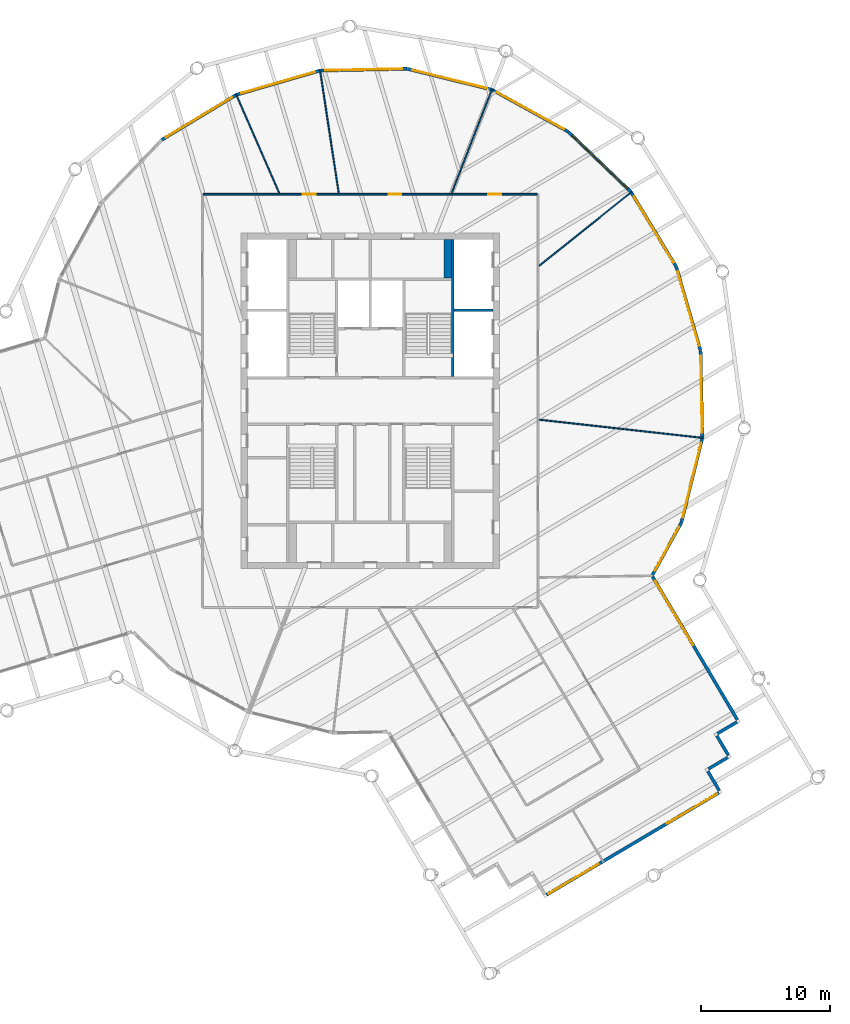
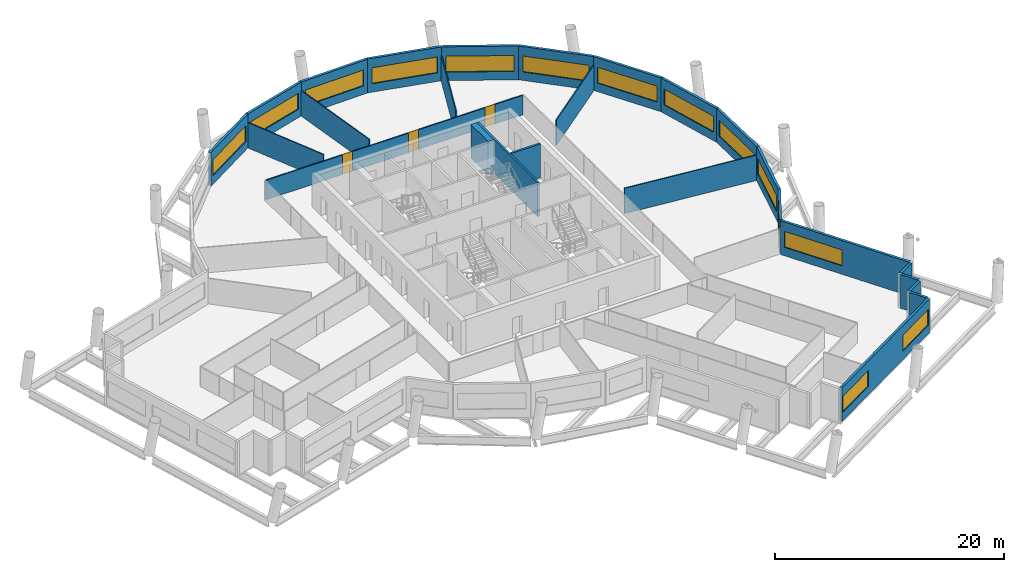
# One storey, part 6 of 11: 26 walls, 14 windows, 3 doors, 17 openings.
"""IFC4 building model written with IfcOpenShell, lengths in metres."""

from ifc_helpers import new_model, si_unit, direction, frame, frame_2d, origin, place, context, subcontext, project, spatial, rectangle, extrude, material, layer, layer_set, type_object, element, fill, save


model = new_model("IFC4")

# Units and contexts
model_context = context("Model", 3, precision=1e-05, world=origin(), true_north=direction((0.0, 1.0)))
body_context = subcontext(model_context, "Body", "Model", "MODEL_VIEW")
ifc_project = project(units=[si_unit("LENGTHUNIT", "METRE"), si_unit("AREAUNIT", "SQUARE_METRE"), si_unit("VOLUMEUNIT", "CUBIC_METRE"), si_unit("PLANEANGLEUNIT", "RADIAN"), si_unit("MASSUNIT", "GRAM", prefix="KILO")], contexts=[model_context])

# Site, building, storey
site_placement = place(None, origin())
site = spatial("IfcSite", under=ifc_project, at=site_placement, CompositionType="ELEMENT")
building_placement = place(site_placement, origin())
building = spatial("IfcBuilding", under=site, at=building_placement, Name="Tarsis Ring Headquarters", CompositionType="ELEMENT")
storey_placement = place(building_placement, frame((0.0, 0.0, 350.89990234375)))
storey = spatial("IfcBuildingStorey", under=building, at=storey_placement, Name="L83", CompositionType="ELEMENT", Elevation=350.89990234375)

# Walls
ifc_material_1 = material(Name="Gypsum board on steel studs", Category="steel")
ifc_layer_1 = layer(ifc_material_1, 0.10009765625)
ifc_layer_set_1 = layer_set([ifc_layer_1], Name="FL partition 100 unrated")
wall_type_1 = type_object("IfcWallType", Name="FL partition 100 unrated", PredefinedType="PARTITIONING", material=ifc_layer_set_1)
wall_1_placement = place(storey_placement, frame((13.069580078125, -1.456787109375, 0.0), z_axis=(0.0, 0.0, 1.0), x_axis=(0.993844586724, -0.110783290433, 0.0)))
element("IfcWall", 1, at=wall_1_placement, inside=storey, type_object=wall_type_1, Name="Partition PW3", PredefinedType="PARTITIONING", context=body_context, shape_type="SweptSolid", body=[
    extrude(rectangle(XDim=12.79736328125, YDim=0.10009765625, at=frame_2d((6.398681640625, 0.0))), origin(), (0.0, 0.0, 1.0), 2.7001953125),
])
wall_2_placement = place(storey_placement, frame((-3.89794921875, 25.6533203125, 0.0), z_axis=(0.0, 0.0, 1.0), x_axis=(0.150223141748, -0.988652116613, 0.0)))
element("IfcWall", 2, at=wall_2_placement, inside=storey, type_object=wall_type_1, Name="Partition PW3", PredefinedType="PARTITIONING", context=body_context, shape_type="SweptSolid", body=[
    extrude(rectangle(XDim=9.6943359375, YDim=0.10009765625, at=frame_2d((4.84716796875, 0.0))), origin(), (0.0, 0.0, 1.0), 2.7001953125),
])
wall_3_placement = place(storey_placement, frame((13.0859375, 10.461181640625, 0.0), z_axis=(0.0, 0.0, 1.0), x_axis=(0.781086368066, 0.624423002156, 0.0)))
element("IfcWall", 3, at=wall_3_placement, inside=storey, type_object=wall_type_1, Name="Partition PW3", PredefinedType="PARTITIONING", context=body_context, shape_type="SweptSolid", body=[
    extrude(rectangle(XDim=9.1943359375, YDim=0.10009765625, at=frame_2d((4.59716796875, 0.0))), origin(), (0.0, 0.0, 1.0), 2.7001953125),
])
wall_4_placement = place(storey_placement, frame((6.28662109375, 16.074462890625, 0.0), z_axis=(0.0, 0.0, 1.0), x_axis=(0.364223454374, 0.93131158872, 0.0)))
element("IfcWall", 4, at=wall_4_placement, inside=storey, type_object=wall_type_1, Name="Partition PW3", PredefinedType="PARTITIONING", context=body_context, shape_type="SweptSolid", body=[
    extrude(rectangle(XDim=8.687744140625, YDim=0.10009765625, at=frame_2d((4.34375, 0.0))), origin(), (0.0, 0.0, 1.0), 2.7001953125),
])
wall_5_placement = place(storey_placement, frame((-10.40478515625, 23.7705078125, 0.0), z_axis=(0.0, 0.0, 1.0), x_axis=(0.400977351734, -0.916087967062, 0.0)))
element("IfcWall", 5, at=wall_5_placement, inside=storey, type_object=wall_type_1, Name="Partition PW3", PredefinedType="PARTITIONING", context=body_context, shape_type="SweptSolid", body=[
    extrude(rectangle(XDim=8.40234375, YDim=0.10009765625, at=frame_2d((4.201171875, 0.0))), origin(), (0.0, 0.0, 1.0), 2.7001953125),
])

# Wall, openings, doors
ifc_layer_2 = layer(ifc_material_1, 0.125)
ifc_layer_set_2 = layer_set([ifc_layer_2], Name="FL partition 125 EI 60 H2080")
wall_type_2 = type_object("IfcWallType", Name="FL partition 125 EI 60 H2080", PredefinedType="PARTITIONING", material=ifc_layer_set_2)
wall_6_placement = place(storey_placement, frame((-12.93994140625, 16.0, 0.0), z_axis=(0.0, 0.0, 1.0), x_axis=(1.0, 0.0, 0.0)))
wall_6 = element("IfcWall", 6, at=wall_6_placement, inside=storey, type_object=wall_type_2, Name="Partition PW1H208", PredefinedType="PARTITIONING", context=body_context, shape_type="SweptSolid", body=[
    extrude(rectangle(XDim=25.8798828125, YDim=0.125, at=frame_2d((12.93994140625, 0.0))), origin(), (0.0, 0.0, 1.0), 2.080078125),
])
opening_1_placement = place(wall_6_placement, frame((7.72265625, 0.0, 0.0)))
opening_1 = element("IfcOpeningElement", 7, at=opening_1_placement, cuts=wall_6, Name="Opening D83.05", PredefinedType="OPENING", context=body_context, shape_type="SweptSolid", body=[
    extrude(rectangle(XDim=1.0, YDim=2.10009765625, at=frame_2d((0.5, 1.050048828125))), frame((0.0, 0.072509765625, 0.0), z_axis=(0.0, -1.0, 0.0), x_axis=(1.0, 0.0, 0.0)), (0.0, 0.0, 1.0), 0.14501953125),
])
opening_2_placement = place(wall_6_placement, frame((14.35302734375, 0.0, 0.0)))
opening_2 = element("IfcOpeningElement", 8, at=opening_2_placement, cuts=wall_6, Name="Opening D83.06", PredefinedType="OPENING", context=body_context, shape_type="SweptSolid", body=[
    extrude(rectangle(XDim=1.0, YDim=2.10009765625, at=frame_2d((0.5, 1.050048828125))), frame((0.0, 0.072509765625, 0.0), z_axis=(0.0, -1.0, 0.0), x_axis=(1.0, 0.0, 0.0)), (0.0, 0.0, 1.0), 0.14501953125),
])
opening_3_placement = place(wall_6_placement, frame((22.068603515625, 0.0, 0.0)))
opening_3 = element("IfcOpeningElement", 9, at=opening_3_placement, cuts=wall_6, Name="Opening D83.07", PredefinedType="OPENING", context=body_context, shape_type="SweptSolid", body=[
    extrude(rectangle(XDim=1.0, YDim=2.10009765625, at=frame_2d((0.5, 1.050048828125))), frame((0.0, 0.072509765625, 0.0), z_axis=(0.0, -1.0, 0.0), x_axis=(1.0, 0.0, 0.0)), (0.0, 0.0, 1.0), 0.14501953125),
])
ifc_material_2 = material(Name="Fire-rated timber door leaf in steel frame", Category="steel")
door_type = type_object("IfcDoorType", Name="FL door FD60-1000", OperationType="NOTDEFINED", PredefinedType="DOOR", material=ifc_material_2)
door_1_placement = place(opening_1_placement, origin())
door_1 = element("IfcDoor", 10, at=door_1_placement, inside=storey, type_object=door_type, Name="Door D83.05", OperationType="SINGLE_SWING_RIGHT", OverallHeight=2.10009765625, OverallWidth=1.0, PredefinedType="DOOR", context=body_context, shape_type="SweptSolid", body=[
    extrude(rectangle(XDim=1.0, YDim=2.10009765625, at=frame_2d((0.5, 1.050048828125))), frame((0.0, 0.02490234375, 0.0), z_axis=(0.0, -1.0, 0.0), x_axis=(1.0, 0.0, 0.0)), (0.0, 0.0, 1.0), 0.050048828125),
])
fill(opening_1, door_1)
door_2_placement = place(opening_2_placement, origin())
door_2 = element("IfcDoor", 11, at=door_2_placement, inside=storey, type_object=door_type, Name="Door D83.06", OperationType="SINGLE_SWING_LEFT", OverallHeight=2.10009765625, OverallWidth=1.0, PredefinedType="DOOR", context=body_context, shape_type="SweptSolid", body=[
    extrude(rectangle(XDim=1.0, YDim=2.10009765625, at=frame_2d((0.5, 1.050048828125))), frame((0.0, 0.02490234375, 0.0), z_axis=(0.0, -1.0, 0.0), x_axis=(1.0, 0.0, 0.0)), (0.0, 0.0, 1.0), 0.050048828125),
])
fill(opening_2, door_2)
door_3_placement = place(opening_3_placement, origin())
door_3 = element("IfcDoor", 12, at=door_3_placement, inside=storey, type_object=door_type, Name="Door D83.07", OperationType="SINGLE_SWING_RIGHT", OverallHeight=2.10009765625, OverallWidth=1.0, PredefinedType="DOOR", context=body_context, shape_type="SweptSolid", body=[
    extrude(rectangle(XDim=1.0, YDim=2.10009765625, at=frame_2d((0.5, 1.050048828125))), frame((0.0, 0.02490234375, 0.0), z_axis=(0.0, -1.0, 0.0), x_axis=(1.0, 0.0, 0.0)), (0.0, 0.0, 1.0), 0.050048828125),
])
fill(opening_3, door_3)

# Wall, openings, windows
ifc_material_3 = material(Name="Terracotta clad insulated panel wall", Category="masonry")
ifc_layer_3 = layer(ifc_material_3, 0.25)
ifc_layer_set_3 = layer_set([ifc_layer_3], Name="Facade wall terracotta panel 250")
wall_type_3 = type_object("IfcWallType", Name="Facade wall terracotta panel 250", PredefinedType="STANDARD", material=ifc_layer_set_3)
wall_7_placement = place(storey_placement, frame((13.654052734375, -38.257568359375, 0.0), z_axis=(0.0, 0.0, 1.0), x_axis=(0.860386696708, 0.509641768429, 0.0)))
wall_7 = element("IfcWall", 13, at=wall_7_placement, inside=storey, type_object=wall_type_3, Name="External wall L83-11", PredefinedType="STANDARD", context=body_context, shape_type="SweptSolid", body=[
    extrude(rectangle(XDim=15.5, YDim=0.25, at=frame_2d((7.75, 0.0))), origin(), (0.0, 0.0, 1.0), 3.60009765625),
])
opening_4_placement = place(wall_7_placement, frame((0.166748046875, 0.0, 0.89990234375)))
opening_4 = element("IfcOpeningElement", 14, at=opening_4_placement, cuts=wall_7, Name="Opening WN04", PredefinedType="OPENING", context=body_context, shape_type="SweptSolid", body=[
    extrude(rectangle(XDim=4.5, YDim=1.699951171875, at=frame_2d((2.25, 0.85009765625))), frame((0.0, 0.135009765625, 0.0), z_axis=(0.0, -1.0, 0.0), x_axis=(1.0, 0.0, 0.0)), (0.0, 0.0, 1.0), 0.27001953125),
])
opening_5_placement = place(wall_7_placement, frame((10.833251953125, 0.0, 0.89990234375)))
opening_5 = element("IfcOpeningElement", 15, at=opening_5_placement, cuts=wall_7, Name="Opening WN04", PredefinedType="OPENING", context=body_context, shape_type="SweptSolid", body=[
    extrude(rectangle(XDim=4.5, YDim=1.699951171875, at=frame_2d((2.25, 0.85009765625))), frame((0.0, 0.135009765625, 0.0), z_axis=(0.0, -1.0, 0.0), x_axis=(1.0, 0.0, 0.0)), (0.0, 0.0, 1.0), 0.27001953125),
])
ifc_material_4 = material(Name="Aluminium framed double glazing", Category="aluminium")
window_type_1 = type_object("IfcWindowType", Name="Facade window 4500 x 1700", PartitioningType="SINGLE_PANEL", PredefinedType="WINDOW", material=ifc_material_4)
window_1_placement = place(opening_4_placement, origin())
window_1 = element("IfcWindow", 16, at=window_1_placement, inside=storey, type_object=window_type_1, Name="Window L83-11.1", OverallHeight=1.699951171875, OverallWidth=4.5, PartitioningType="SINGLE_PANEL", PredefinedType="WINDOW", context=body_context, shape_type="SweptSolid", body=[
    extrude(rectangle(XDim=4.5, YDim=1.699951171875, at=frame_2d((2.25, 0.85009765625))), frame((0.0, 0.030029296875, 0.0), z_axis=(0.0, -1.0, 0.0), x_axis=(1.0, 0.0, 0.0)), (0.0, 0.0, 1.0), 0.06005859375),
])
fill(opening_4, window_1)
window_2_placement = place(opening_5_placement, origin())
window_2 = element("IfcWindow", 17, at=window_2_placement, inside=storey, type_object=window_type_1, Name="Window L83-11.3", OverallHeight=1.699951171875, OverallWidth=4.5, PartitioningType="SINGLE_PANEL", PredefinedType="WINDOW", context=body_context, shape_type="SweptSolid", body=[
    extrude(rectangle(XDim=4.5, YDim=1.699951171875, at=frame_2d((2.25, 0.85009765625))), frame((0.0, 0.030029296875, 0.0), z_axis=(0.0, -1.0, 0.0), x_axis=(1.0, 0.0, 0.0)), (0.0, 0.0, 1.0), 0.06005859375),
])
fill(opening_5, window_2)

# Walls
wall_8_placement = place(storey_placement, frame((27.033935546875, -30.18701171875, 0.0), z_axis=(0.0, 0.0, 1.0), x_axis=(-0.509687680233, 0.860359499639, 0.0)))
element("IfcWall", 18, at=wall_8_placement, inside=storey, type_object=wall_type_3, Name="External wall L83-12", PredefinedType="STANDARD", context=body_context, shape_type="SweptSolid", body=[
    extrude(rectangle(XDim=1.750244140625, YDim=0.25, at=frame_2d((0.875, 0.0))), origin(), (0.0, 0.0, 1.0), 3.60009765625),
])
for number, where, z_axis, x_axis, name in (
    (19, (26.185791015625, -28.510009765625, 0.0), (0.0, 0.0, 1.0), (0.860384434426, 0.509645587637, 0.0), "External wall L83-13"),
    (20, (27.7353515625, -27.44677734375, 0.0), (0.0, 0.0, 1.0), (-0.509645587637, 0.860384434426, 0.0), "External wall L83-14"),
):
    element("IfcWall", number, at=place(storey_placement, frame(where, z_axis=z_axis, x_axis=x_axis)), inside=storey, type_object=wall_type_3, Name=name, PredefinedType="STANDARD", context=body_context, shape_type="SweptSolid", body=[
        extrude(rectangle(XDim=1.75, YDim=0.25, at=frame_2d((0.875, 0.0))), origin(), (0.0, 0.0, 1.0), 3.60009765625),
    ])
wall_9_placement = place(storey_placement, frame((26.88720703125, -25.77001953125, 0.0), z_axis=(0.0, 0.0, 1.0), x_axis=(0.860420665144, 0.509584417926, 0.0)))
element("IfcWall", 21, at=wall_9_placement, inside=storey, type_object=wall_type_3, Name="External wall L83-15", PredefinedType="STANDARD", context=body_context, shape_type="SweptSolid", body=[
    extrude(rectangle(XDim=1.750244140625, YDim=0.25, at=frame_2d((0.875, 0.0))), origin(), (0.0, 0.0, 1.0), 3.60009765625),
])

# Wall, opening, window
wall_10_placement = place(storey_placement, frame((28.436767578125, -24.706787109375, 0.0), z_axis=(0.0, 0.0, 1.0), x_axis=(-0.509636908074, 0.860389575674, 0.0)))
wall_10 = element("IfcWall", 22, at=wall_10_placement, inside=storey, type_object=wall_type_3, Name="External wall L83-16", PredefinedType="STANDARD", context=body_context, shape_type="SweptSolid", body=[
    extrude(rectangle(XDim=12.9013671875, YDim=0.25, at=frame_2d((6.45068359375, 0.0))), origin(), (0.0, 0.0, 1.0), 3.60009765625),
])
opening_6_placement = place(wall_10_placement, frame((6.738525390625, 0.0, 0.89990234375)))
opening_6 = element("IfcOpeningElement", 23, at=opening_6_placement, cuts=wall_10, Name="Opening WN06", PredefinedType="OPENING", context=body_context, shape_type="SweptSolid", body=[
    extrude(rectangle(XDim=5.75, YDim=1.699951171875, at=frame_2d((2.875, 0.85009765625))), frame((0.0, 0.135009765625, 0.0), z_axis=(0.0, -1.0, 0.0), x_axis=(1.0, 0.0, 0.0)), (0.0, 0.0, 1.0), 0.27001953125),
])
window_type_2 = type_object("IfcWindowType", Name="Facade window 5750 x 1700", PartitioningType="SINGLE_PANEL", PredefinedType="WINDOW", material=ifc_material_4)
window_3_placement = place(opening_6_placement, origin())
window_3 = element("IfcWindow", 24, at=window_3_placement, inside=storey, type_object=window_type_2, Name="Window L83-16.2", OverallHeight=1.699951171875, OverallWidth=5.75, PartitioningType="SINGLE_PANEL", PredefinedType="WINDOW", context=body_context, shape_type="SweptSolid", body=[
    extrude(rectangle(XDim=5.75, YDim=1.699951171875, at=frame_2d((2.875, 0.85009765625))), frame((0.0, 0.030029296875, 0.0), z_axis=(0.0, -1.0, 0.0), x_axis=(1.0, 0.0, 0.0)), (0.0, 0.0, 1.0), 0.06005859375),
])
fill(opening_6, window_3)

wall_11_placement = place(storey_placement, frame((21.85986328125, -13.482666015625, 0.0), z_axis=(0.0, 0.0, 1.0), x_axis=(0.482659380447, 0.875808153916, 0.0)))
wall_11 = element("IfcWall", 25, at=wall_11_placement, inside=storey, type_object=wall_type_3, Name="External wall L83-17", PredefinedType="STANDARD", context=body_context, shape_type="SweptSolid", body=[
    extrude(rectangle(XDim=4.61767578125, YDim=0.25, at=frame_2d((2.308837890625, 0.0))), origin(), (0.0, 0.0, 1.0), 3.60009765625),
])
opening_7_placement = place(wall_11_placement, frame((0.400390625, 0.0, 0.89990234375)))
opening_7 = element("IfcOpeningElement", 26, at=opening_7_placement, cuts=wall_11, Name="Opening WN02", PredefinedType="OPENING", context=body_context, shape_type="SweptSolid", body=[
    extrude(rectangle(XDim=3.85009765625, YDim=1.699951171875, at=frame_2d((1.925048828125, 0.85009765625))), frame((0.0, 0.135009765625, 0.0), z_axis=(0.0, -1.0, 0.0), x_axis=(1.0, 0.0, 0.0)), (0.0, 0.0, 1.0), 0.27001953125),
])
window_type_3 = type_object("IfcWindowType", Name="Facade window 3850 x 1700", PartitioningType="SINGLE_PANEL", PredefinedType="WINDOW", material=ifc_material_4)
window_4_placement = place(opening_7_placement, origin())
window_4 = element("IfcWindow", 27, at=window_4_placement, inside=storey, type_object=window_type_3, Name="Window L83-17.1", OverallHeight=1.699951171875, OverallWidth=3.85009765625, PartitioningType="SINGLE_PANEL", PredefinedType="WINDOW", context=body_context, shape_type="SweptSolid", body=[
    extrude(rectangle(XDim=3.85009765625, YDim=1.699951171875, at=frame_2d((1.925048828125, 0.85009765625))), frame((0.0, 0.030029296875, 0.0), z_axis=(0.0, -1.0, 0.0), x_axis=(1.0, 0.0, 0.0)), (0.0, 0.0, 1.0), 0.06005859375),
])
fill(opening_7, window_4)

wall_12_placement = place(storey_placement, frame((24.1005859375, -9.407958984375, 0.0), z_axis=(0.0, 0.0, 1.0), x_axis=(0.239543252869, 0.970885693583, 0.0)))
wall_12 = element("IfcWall", 28, at=wall_12_placement, inside=storey, type_object=wall_type_3, Name="External wall L83-18", PredefinedType="STANDARD", context=body_context, shape_type="SweptSolid", body=[
    extrude(rectangle(XDim=6.7216796875, YDim=0.25, at=frame_2d((3.36083984375, 0.0))), origin(), (0.0, 0.0, 1.0), 3.60009765625),
])
opening_8_placement = place(wall_12_placement, frame((0.3857421875, 0.0, 0.89990234375)))
opening_8 = element("IfcOpeningElement", 29, at=opening_8_placement, cuts=wall_12, Name="Opening WN07", PredefinedType="OPENING", context=body_context, shape_type="SweptSolid", body=[
    extrude(rectangle(XDim=5.949951171875, YDim=1.699951171875, at=frame_2d((2.97509765625, 0.85009765625))), frame((0.0, 0.135009765625, 0.0), z_axis=(0.0, -1.0, 0.0), x_axis=(1.0, 0.0, 0.0)), (0.0, 0.0, 1.0), 0.27001953125),
])
window_type_4 = type_object("IfcWindowType", Name="Facade window 5950 x 1700", PartitioningType="SINGLE_PANEL", PredefinedType="WINDOW", material=ifc_material_4)
window_5_placement = place(opening_8_placement, origin())
window_5 = element("IfcWindow", 30, at=window_5_placement, inside=storey, type_object=window_type_4, Name="Window L83-18.1", OverallHeight=1.699951171875, OverallWidth=5.949951171875, PartitioningType="SINGLE_PANEL", PredefinedType="WINDOW", context=body_context, shape_type="SweptSolid", body=[
    extrude(rectangle(XDim=5.949951171875, YDim=1.699951171875, at=frame_2d((2.97509765625, 0.85009765625))), frame((0.0, 0.030029296875, 0.0), z_axis=(0.0, -1.0, 0.0), x_axis=(1.0, 0.0, 0.0)), (0.0, 0.0, 1.0), 0.06005859375),
])
fill(opening_8, window_5)

wall_13_placement = place(storey_placement, frame((25.71435546875, -2.849853515625, 0.0), z_axis=(0.0, 0.0, 1.0), x_axis=(-0.019904506044, 0.999801885695, 0.0)))
wall_13 = element("IfcWall", 31, at=wall_13_placement, inside=storey, type_object=wall_type_3, Name="External wall L83-19", PredefinedType="STANDARD", context=body_context, shape_type="SweptSolid", body=[
    extrude(rectangle(XDim=6.721435546875, YDim=0.25, at=frame_2d((3.36083984375, 0.0))), origin(), (0.0, 0.0, 1.0), 3.60009765625),
])
opening_9_placement = place(wall_13_placement, frame((0.3857421875, 0.0, 0.89990234375)))
opening_9 = element("IfcOpeningElement", 32, at=opening_9_placement, cuts=wall_13, Name="Opening WN07", PredefinedType="OPENING", context=body_context, shape_type="SweptSolid", body=[
    extrude(rectangle(XDim=5.949951171875, YDim=1.699951171875, at=frame_2d((2.97509765625, 0.85009765625))), frame((0.0, 0.135009765625, 0.0), z_axis=(0.0, -1.0, 0.0), x_axis=(1.0, 0.0, 0.0)), (0.0, 0.0, 1.0), 0.27001953125),
])
window_6_placement = place(opening_9_placement, origin())
window_6 = element("IfcWindow", 33, at=window_6_placement, inside=storey, type_object=window_type_4, Name="Window L83-19.1", OverallHeight=1.699951171875, OverallWidth=5.949951171875, PartitioningType="SINGLE_PANEL", PredefinedType="WINDOW", context=body_context, shape_type="SweptSolid", body=[
    extrude(rectangle(XDim=5.949951171875, YDim=1.699951171875, at=frame_2d((2.97509765625, 0.85009765625))), frame((0.0, 0.030029296875, 0.0), z_axis=(0.0, -1.0, 0.0), x_axis=(1.0, 0.0, 0.0)), (0.0, 0.0, 1.0), 0.06005859375),
])
fill(opening_9, window_6)

wall_14_placement = place(storey_placement, frame((25.57568359375, 3.90283203125, 0.0), z_axis=(0.0, 0.0, 1.0), x_axis=(-0.277976935712, 0.960587748835, 0.0)))
wall_14 = element("IfcWall", 34, at=wall_14_placement, inside=storey, type_object=wall_type_3, Name="External wall L83-20", PredefinedType="STANDARD", context=body_context, shape_type="SweptSolid", body=[
    extrude(rectangle(XDim=6.721435546875, YDim=0.25, at=frame_2d((3.36083984375, 0.0))), origin(), (0.0, 0.0, 1.0), 3.60009765625),
])
opening_10_placement = place(wall_14_placement, frame((0.3857421875, 0.0, 0.89990234375)))
opening_10 = element("IfcOpeningElement", 35, at=opening_10_placement, cuts=wall_14, Name="Opening WN07", PredefinedType="OPENING", context=body_context, shape_type="SweptSolid", body=[
    extrude(rectangle(XDim=5.949951171875, YDim=1.699951171875, at=frame_2d((2.97509765625, 0.85009765625))), frame((0.0, 0.135009765625, 0.0), z_axis=(0.0, -1.0, 0.0), x_axis=(1.0, 0.0, 0.0)), (0.0, 0.0, 1.0), 0.27001953125),
])
window_7_placement = place(opening_10_placement, origin())
window_7 = element("IfcWindow", 36, at=window_7_placement, inside=storey, type_object=window_type_4, Name="Window L83-20.1", OverallHeight=1.699951171875, OverallWidth=5.949951171875, PartitioningType="SINGLE_PANEL", PredefinedType="WINDOW", context=body_context, shape_type="SweptSolid", body=[
    extrude(rectangle(XDim=5.949951171875, YDim=1.699951171875, at=frame_2d((2.97509765625, 0.85009765625))), frame((0.0, 0.030029296875, 0.0), z_axis=(0.0, -1.0, 0.0), x_axis=(1.0, 0.0, 0.0)), (0.0, 0.0, 1.0), 0.06005859375),
])
fill(opening_10, window_7)

wall_15_placement = place(storey_placement, frame((23.694091796875, 10.38916015625, 0.0), z_axis=(0.0, 0.0, 1.0), x_axis=(-0.517110650749, 0.85591855622, 0.0)))
wall_15 = element("IfcWall", 37, at=wall_15_placement, inside=storey, type_object=wall_type_3, Name="External wall L83-21", PredefinedType="STANDARD", context=body_context, shape_type="SweptSolid", body=[
    extrude(rectangle(XDim=6.7216796875, YDim=0.25, at=frame_2d((3.36083984375, 0.0))), origin(), (0.0, 0.0, 1.0), 3.60009765625),
])
opening_11_placement = place(wall_15_placement, frame((0.3857421875, 0.0, 0.89990234375)))
opening_11 = element("IfcOpeningElement", 38, at=opening_11_placement, cuts=wall_15, Name="Opening WN07", PredefinedType="OPENING", context=body_context, shape_type="SweptSolid", body=[
    extrude(rectangle(XDim=5.949951171875, YDim=1.699951171875, at=frame_2d((2.97509765625, 0.85009765625))), frame((0.0, 0.135009765625, 0.0), z_axis=(0.0, -1.0, 0.0), x_axis=(1.0, 0.0, 0.0)), (0.0, 0.0, 1.0), 0.27001953125),
])
window_8_placement = place(opening_11_placement, origin())
window_8 = element("IfcWindow", 39, at=window_8_placement, inside=storey, type_object=window_type_4, Name="Window L83-21.1", OverallHeight=1.699951171875, OverallWidth=5.949951171875, PartitioningType="SINGLE_PANEL", PredefinedType="WINDOW", context=body_context, shape_type="SweptSolid", body=[
    extrude(rectangle(XDim=5.949951171875, YDim=1.699951171875, at=frame_2d((2.97509765625, 0.85009765625))), frame((0.0, 0.030029296875, 0.0), z_axis=(0.0, -1.0, 0.0), x_axis=(1.0, 0.0, 0.0)), (0.0, 0.0, 1.0), 0.06005859375),
])
fill(opening_11, window_8)

wall_16_placement = place(storey_placement, frame((20.19775390625, 16.167724609375, 0.0), z_axis=(0.0, 0.0, 1.0), x_axis=(-0.721041727161, 0.6928916421, 0.0)))
wall_16 = element("IfcWall", 40, at=wall_16_placement, inside=storey, type_object=wall_type_3, Name="External wall L83-22", PredefinedType="STANDARD", context=body_context, shape_type="SweptSolid", body=[
    extrude(rectangle(XDim=6.721435546875, YDim=0.25, at=frame_2d((3.36083984375, 0.0))), origin(), (0.0, 0.0, 1.0), 3.60009765625),
])
opening_12_placement = place(wall_16_placement, frame((0.3857421875, 0.0, 0.89990234375)))
opening_12 = element("IfcOpeningElement", 41, at=opening_12_placement, cuts=wall_16, Name="Opening WN07", PredefinedType="OPENING", context=body_context, shape_type="SweptSolid", body=[
    extrude(rectangle(XDim=5.949951171875, YDim=1.699951171875, at=frame_2d((2.97509765625, 0.85009765625))), frame((0.0, 0.135009765625, 0.0), z_axis=(0.0, -1.0, 0.0), x_axis=(1.0, 0.0, 0.0)), (0.0, 0.0, 1.0), 0.27001953125),
])
window_9_placement = place(opening_12_placement, origin())
window_9 = element("IfcWindow", 42, at=window_9_placement, inside=storey, type_object=window_type_4, Name="Window L83-22.1", OverallHeight=1.699951171875, OverallWidth=5.949951171875, PartitioningType="SINGLE_PANEL", PredefinedType="WINDOW", context=body_context, shape_type="SweptSolid", body=[
    extrude(rectangle(XDim=5.949951171875, YDim=1.699951171875, at=frame_2d((2.97509765625, 0.85009765625))), frame((0.0, 0.030029296875, 0.0), z_axis=(0.0, -1.0, 0.0), x_axis=(1.0, 0.0, 0.0)), (0.0, 0.0, 1.0), 0.06005859375),
])
fill(opening_12, window_9)

wall_17_placement = place(storey_placement, frame((15.3251953125, 20.844482421875, 0.0), z_axis=(0.0, 0.0, 1.0), x_axis=(-0.875810682502, 0.482654792182, 0.0)))
wall_17 = element("IfcWall", 43, at=wall_17_placement, inside=storey, type_object=wall_type_3, Name="External wall L83-23", PredefinedType="STANDARD", context=body_context, shape_type="SweptSolid", body=[
    extrude(rectangle(XDim=6.721435546875, YDim=0.25, at=frame_2d((3.36083984375, 0.0))), origin(), (0.0, 0.0, 1.0), 3.60009765625),
])
opening_13_placement = place(wall_17_placement, frame((0.3857421875, 0.0, 0.89990234375)))
opening_13 = element("IfcOpeningElement", 44, at=opening_13_placement, cuts=wall_17, Name="Opening WN07", PredefinedType="OPENING", context=body_context, shape_type="SweptSolid", body=[
    extrude(rectangle(XDim=5.949951171875, YDim=1.699951171875, at=frame_2d((2.97509765625, 0.85009765625))), frame((0.0, 0.135009765625, 0.0), z_axis=(0.0, -1.0, 0.0), x_axis=(1.0, 0.0, 0.0)), (0.0, 0.0, 1.0), 0.27001953125),
])
window_10_placement = place(opening_13_placement, origin())
window_10 = element("IfcWindow", 45, at=window_10_placement, inside=storey, type_object=window_type_4, Name="Window L83-23.1", OverallHeight=1.699951171875, OverallWidth=5.949951171875, PartitioningType="SINGLE_PANEL", PredefinedType="WINDOW", context=body_context, shape_type="SweptSolid", body=[
    extrude(rectangle(XDim=5.949951171875, YDim=1.699951171875, at=frame_2d((2.97509765625, 0.85009765625))), frame((0.0, 0.030029296875, 0.0), z_axis=(0.0, -1.0, 0.0), x_axis=(1.0, 0.0, 0.0)), (0.0, 0.0, 1.0), 0.06005859375),
])
fill(opening_13, window_10)

wall_18_placement = place(storey_placement, frame((9.407958984375, 24.1005859375, 0.0), z_axis=(0.0, 0.0, 1.0), x_axis=(-0.970885693583, 0.239543252869, 0.0)))
wall_18 = element("IfcWall", 46, at=wall_18_placement, inside=storey, type_object=wall_type_3, Name="External wall L83-24", PredefinedType="STANDARD", context=body_context, shape_type="SweptSolid", body=[
    extrude(rectangle(XDim=6.7216796875, YDim=0.25, at=frame_2d((3.36083984375, 0.0))), origin(), (0.0, 0.0, 1.0), 3.60009765625),
])
opening_14_placement = place(wall_18_placement, frame((0.3857421875, 0.0, 0.89990234375)))
opening_14 = element("IfcOpeningElement", 47, at=opening_14_placement, cuts=wall_18, Name="Opening WN07", PredefinedType="OPENING", context=body_context, shape_type="SweptSolid", body=[
    extrude(rectangle(XDim=5.949951171875, YDim=1.699951171875, at=frame_2d((2.97509765625, 0.85009765625))), frame((0.0, 0.135009765625, 0.0), z_axis=(0.0, -1.0, 0.0), x_axis=(1.0, 0.0, 0.0)), (0.0, 0.0, 1.0), 0.27001953125),
])
window_11_placement = place(opening_14_placement, origin())
window_11 = element("IfcWindow", 48, at=window_11_placement, inside=storey, type_object=window_type_4, Name="Window L83-24.1", OverallHeight=1.699951171875, OverallWidth=5.949951171875, PartitioningType="SINGLE_PANEL", PredefinedType="WINDOW", context=body_context, shape_type="SweptSolid", body=[
    extrude(rectangle(XDim=5.949951171875, YDim=1.699951171875, at=frame_2d((2.97509765625, 0.85009765625))), frame((0.0, 0.030029296875, 0.0), z_axis=(0.0, -1.0, 0.0), x_axis=(1.0, 0.0, 0.0)), (0.0, 0.0, 1.0), 0.06005859375),
])
fill(opening_14, window_11)

wall_19_placement = place(storey_placement, frame((2.849853515625, 25.71435546875, 0.0), z_axis=(0.0, 0.0, 1.0), x_axis=(-0.999801885695, -0.019904506044, 0.0)))
wall_19 = element("IfcWall", 49, at=wall_19_placement, inside=storey, type_object=wall_type_3, Name="External wall L83-25", PredefinedType="STANDARD", context=body_context, shape_type="SweptSolid", body=[
    extrude(rectangle(XDim=6.721435546875, YDim=0.25, at=frame_2d((3.36083984375, 0.0))), origin(), (0.0, 0.0, 1.0), 3.60009765625),
])
opening_15_placement = place(wall_19_placement, frame((0.3857421875, 0.0, 0.89990234375)))
opening_15 = element("IfcOpeningElement", 50, at=opening_15_placement, cuts=wall_19, Name="Opening WN07", PredefinedType="OPENING", context=body_context, shape_type="SweptSolid", body=[
    extrude(rectangle(XDim=5.949951171875, YDim=1.699951171875, at=frame_2d((2.97509765625, 0.85009765625))), frame((0.0, 0.135009765625, 0.0), z_axis=(0.0, -1.0, 0.0), x_axis=(1.0, 0.0, 0.0)), (0.0, 0.0, 1.0), 0.27001953125),
])
window_12_placement = place(opening_15_placement, origin())
window_12 = element("IfcWindow", 51, at=window_12_placement, inside=storey, type_object=window_type_4, Name="Window L83-25.1", OverallHeight=1.699951171875, OverallWidth=5.949951171875, PartitioningType="SINGLE_PANEL", PredefinedType="WINDOW", context=body_context, shape_type="SweptSolid", body=[
    extrude(rectangle(XDim=5.949951171875, YDim=1.699951171875, at=frame_2d((2.97509765625, 0.85009765625))), frame((0.0, 0.030029296875, 0.0), z_axis=(0.0, -1.0, 0.0), x_axis=(1.0, 0.0, 0.0)), (0.0, 0.0, 1.0), 0.06005859375),
])
fill(opening_15, window_12)

wall_20_placement = place(storey_placement, frame((-3.90283203125, 25.57568359375, 0.0), z_axis=(0.0, 0.0, 1.0), x_axis=(-0.960587748835, -0.277976935712, 0.0)))
wall_20 = element("IfcWall", 52, at=wall_20_placement, inside=storey, type_object=wall_type_3, Name="External wall L83-26", PredefinedType="STANDARD", context=body_context, shape_type="SweptSolid", body=[
    extrude(rectangle(XDim=6.721435546875, YDim=0.25, at=frame_2d((3.36083984375, 0.0))), origin(), (0.0, 0.0, 1.0), 3.60009765625),
])
opening_16_placement = place(wall_20_placement, frame((0.3857421875, 0.0, 0.89990234375)))
opening_16 = element("IfcOpeningElement", 53, at=opening_16_placement, cuts=wall_20, Name="Opening WN07", PredefinedType="OPENING", context=body_context, shape_type="SweptSolid", body=[
    extrude(rectangle(XDim=5.949951171875, YDim=1.699951171875, at=frame_2d((2.97509765625, 0.85009765625))), frame((0.0, 0.135009765625, 0.0), z_axis=(0.0, -1.0, 0.0), x_axis=(1.0, 0.0, 0.0)), (0.0, 0.0, 1.0), 0.27001953125),
])
window_13_placement = place(opening_16_placement, origin())
window_13 = element("IfcWindow", 54, at=window_13_placement, inside=storey, type_object=window_type_4, Name="Window L83-26.1", OverallHeight=1.699951171875, OverallWidth=5.949951171875, PartitioningType="SINGLE_PANEL", PredefinedType="WINDOW", context=body_context, shape_type="SweptSolid", body=[
    extrude(rectangle(XDim=5.949951171875, YDim=1.699951171875, at=frame_2d((2.97509765625, 0.85009765625))), frame((0.0, 0.030029296875, 0.0), z_axis=(0.0, -1.0, 0.0), x_axis=(1.0, 0.0, 0.0)), (0.0, 0.0, 1.0), 0.06005859375),
])
fill(opening_16, window_13)

wall_21_placement = place(storey_placement, frame((-10.38916015625, 23.694091796875, 0.0), z_axis=(0.0, 0.0, 1.0), x_axis=(-0.85591855622, -0.517110650749, 0.0)))
wall_21 = element("IfcWall", 55, at=wall_21_placement, inside=storey, type_object=wall_type_3, Name="External wall L83-27", PredefinedType="STANDARD", context=body_context, shape_type="SweptSolid", body=[
    extrude(rectangle(XDim=6.7216796875, YDim=0.25, at=frame_2d((3.36083984375, 0.0))), origin(), (0.0, 0.0, 1.0), 3.60009765625),
])
opening_17_placement = place(wall_21_placement, frame((0.3857421875, 0.0, 0.89990234375)))
opening_17 = element("IfcOpeningElement", 56, at=opening_17_placement, cuts=wall_21, Name="Opening WN07", PredefinedType="OPENING", context=body_context, shape_type="SweptSolid", body=[
    extrude(rectangle(XDim=5.949951171875, YDim=1.699951171875, at=frame_2d((2.97509765625, 0.85009765625))), frame((0.0, 0.135009765625, 0.0), z_axis=(0.0, -1.0, 0.0), x_axis=(1.0, 0.0, 0.0)), (0.0, 0.0, 1.0), 0.27001953125),
])
window_14_placement = place(opening_17_placement, origin())
window_14 = element("IfcWindow", 57, at=window_14_placement, inside=storey, type_object=window_type_4, Name="Window L83-27.1", OverallHeight=1.699951171875, OverallWidth=5.949951171875, PartitioningType="SINGLE_PANEL", PredefinedType="WINDOW", context=body_context, shape_type="SweptSolid", body=[
    extrude(rectangle(XDim=5.949951171875, YDim=1.699951171875, at=frame_2d((2.97509765625, 0.85009765625))), frame((0.0, 0.030029296875, 0.0), z_axis=(0.0, -1.0, 0.0), x_axis=(1.0, 0.0, 0.0)), (0.0, 0.0, 1.0), 0.06005859375),
])
fill(opening_17, window_14)

# Walls
ifc_material_5 = material(Name="Concrete C32/40", Category="concrete")
ifc_layer_4 = layer(ifc_material_5, 0.60009765625)
ifc_layer_set_4 = layer_set([ifc_layer_4], Name="Shaft end wall 600 C32/40")
wall_type_4 = type_object("IfcWallType", Name="Shaft end wall 600 C32/40", PredefinedType="SOLIDWALL", material=ifc_layer_set_4)
wall_22_placement = place(storey_placement, frame((6.0, 9.5, 0.0), z_axis=(0.0, 0.0, 1.0), x_axis=(0.0, 1.0, 0.0)))
element("IfcWall", 58, at=wall_22_placement, inside=storey, type_object=wall_type_4, Name="Core shaft wall NNE2", PredefinedType="SOLIDWALL", context=body_context, shape_type="SweptSolid", body=[
    extrude(rectangle(XDim=3.0, YDim=0.60009765625, at=frame_2d((1.5, 0.0))), origin(), (0.0, 0.0, 1.0), 3.60009765625),
])
ifc_layer_5 = layer(ifc_material_5, 0.199951171875)
ifc_layer_set_5 = layer_set([ifc_layer_5], Name="Shaft wall 200 C32/40")
wall_type_5 = type_object("IfcWallType", Name="Shaft wall 200 C32/40", PredefinedType="SOLIDWALL", material=ifc_layer_set_5)
wall_23_placement = place(storey_placement, frame((6.39990234375, 1.89990234375, 0.0), z_axis=(0.0, 0.0, 1.0), x_axis=(0.0, 1.0, 0.0)))
element("IfcWall", 59, at=wall_23_placement, inside=storey, type_object=wall_type_5, Name="Core shaft wall EB2", PredefinedType="SOLIDWALL", context=body_context, shape_type="SweptSolid", body=[
    extrude(rectangle(XDim=10.60009765625, YDim=0.199951171875, at=frame_2d((5.300048828125, 0.0))), origin(), (0.0, 0.0, 1.0), 3.60009765625),
])
wall_24_placement = place(storey_placement, frame((6.5, 7.0, 0.0), z_axis=(0.0, 0.0, 1.0), x_axis=(1.0, 0.0, 0.0)))
element("IfcWall", 60, at=wall_24_placement, inside=storey, type_object=wall_type_5, Name="Core shaft wall ED6", PredefinedType="SOLIDWALL", context=body_context, shape_type="SweptSolid", body=[
    extrude(rectangle(XDim=3.0, YDim=0.199951171875, at=frame_2d((1.5, 0.0))), origin(), (0.0, 0.0, 1.0), 3.60009765625),
])

save(model, "model.ifc")
